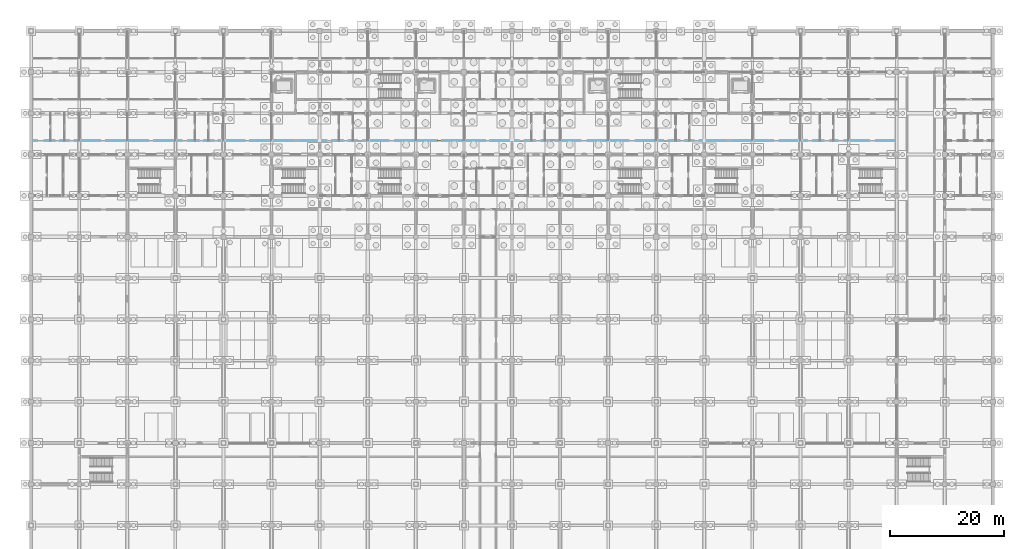
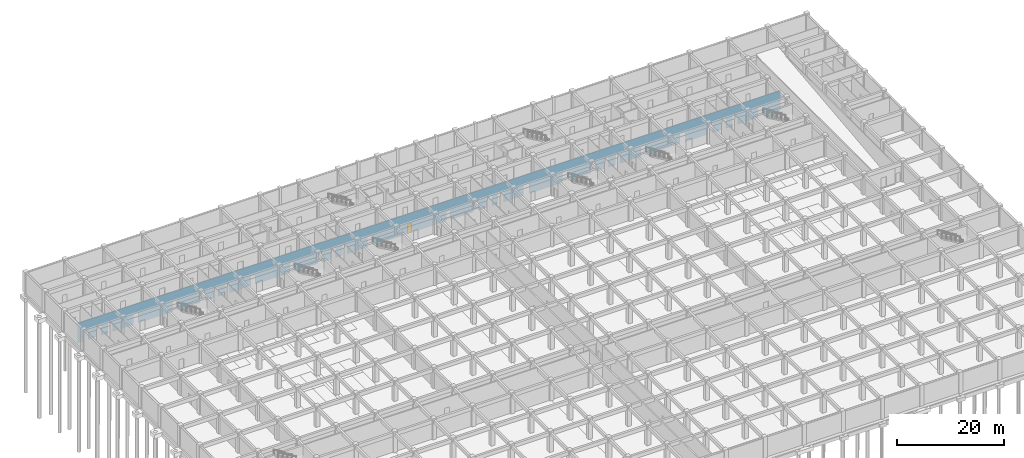
# One storey, part 55 of 85: 1 door, 30 openings, plus 1 element that does not belong to this part.
"""IFC4 building model written with IfcOpenShell, lengths in metres."""

from ifc_helpers import new_model, si_unit, direction, frame, frame_2d, origin, place, context, subcontext, project, spatial, rectangle, extrude, material, layer, layer_set, type_object, element, fill, save


model = new_model("IFC4")

# Units and contexts
model_context = context("Model", 3, precision=1e-05, world=origin(), true_north=direction((0.0, 1.0)))
body_context = subcontext(model_context, "Body", "Model", "MODEL_VIEW")
ifc_project = project(units=[si_unit("LENGTHUNIT", "METRE"), si_unit("AREAUNIT", "SQUARE_METRE"), si_unit("VOLUMEUNIT", "CUBIC_METRE"), si_unit("PLANEANGLEUNIT", "RADIAN"), si_unit("MASSUNIT", "GRAM", prefix="KILO")], contexts=[model_context])

# Site, building, storey
site_placement = place(None, origin())
site = spatial("IfcSite", under=ifc_project, at=site_placement, CompositionType="ELEMENT")
building_placement = place(site_placement, origin())
building = spatial("IfcBuilding", under=site, at=building_placement, Name="Chengyuan Square Courthouse", CompositionType="ELEMENT")
storey_placement = place(building_placement, frame((0.0, 0.0, -10.199951171875)))
storey = spatial("IfcBuildingStorey", under=building, at=storey_placement, Name="B02", CompositionType="ELEMENT", Elevation=-10.199951171875)

# Wall, openings, door
ifc_material_1 = material(Name="Gypsum Plasterboard Acoustic Stud Partition")
ifc_layer = layer(ifc_material_1, 0.10009765625)
ifc_layer_set = layer_set([ifc_layer], Name="Gypsum Plasterboard Acoustic Stud Partition")
wall_type = type_object("IfcWallType", Name="WL-PT6", PredefinedType="STANDARD", material=ifc_layer_set)
wall_placement = place(storey_placement, frame((0.0400390625, 96.0, 0.0), z_axis=(0.0, 0.0, 1.0), x_axis=(1.0, 0.0, 0.0)))
wall = element("IfcWall", 1, at=wall_placement, inside=storey, type_object=wall_type, Name="Interior Wall WL-B02-I062", PredefinedType="STANDARD", context=body_context, shape_type="SweptSolid", body=[
    extrude(rectangle(XDim=151.159912109375, YDim=0.10009765625, at=frame_2d((75.580078125, 0.0))), origin(), (0.0, 0.0, 1.0), 4.47998046875),
])
opening_1_placement = place(wall_placement, frame((1.0400390625, 0.0, 0.0)))
element("IfcOpeningElement", 2, at=opening_1_placement, cuts=wall, Name="Opening DR-148", PredefinedType="OPENING", context=body_context, shape_type="SweptSolid", body=[
    extrude(rectangle(XDim=1.280029296875, YDim=2.35009765625, at=frame_2d((0.64013671875, 1.175048828125))), frame((0.0, 0.06201171875, 0.0), z_axis=(0.0, -1.0, 0.0), x_axis=(1.0, 0.0, 0.0)), (0.0, 0.0, 1.0), 0.1240234375),
])
opening_2_placement = place(wall_placement, frame((4.090087890625, 0.0, 0.0)))
element("IfcOpeningElement", 3, at=opening_2_placement, cuts=wall, Name="Opening DR-149", PredefinedType="OPENING", context=body_context, shape_type="SweptSolid", body=[
    extrude(rectangle(XDim=0.93994140625, YDim=2.300048828125, at=frame_2d((0.469970703125, 1.14990234375))), frame((0.0, 0.06201171875, 0.0), z_axis=(0.0, -1.0, 0.0), x_axis=(1.0, 0.0, 0.0)), (0.0, 0.0, 1.0), 0.1240234375),
])
opening_3_placement = place(wall_placement, frame((6.570068359375, 0.0, 0.0)))
element("IfcOpeningElement", 4, at=opening_3_placement, cuts=wall, Name="Opening DR-150", PredefinedType="OPENING", context=body_context, shape_type="SweptSolid", body=[
    extrude(rectangle(XDim=0.97998046875, YDim=2.35009765625, at=frame_2d((0.489990234375, 1.175048828125))), frame((0.0, 0.06201171875, 0.0), z_axis=(0.0, -1.0, 0.0), x_axis=(1.0, 0.0, 0.0)), (0.0, 0.0, 1.0), 0.1240234375),
])
opening_4_placement = place(wall_placement, frame((12.050048828125, 0.0, 0.0)))
element("IfcOpeningElement", 5, at=opening_4_placement, cuts=wall, Name="Opening DR-151", PredefinedType="OPENING", context=body_context, shape_type="SweptSolid", body=[
    extrude(rectangle(XDim=1.02001953125, YDim=2.39990234375, at=frame_2d((0.510009765625, 1.199951171875))), frame((0.0, 0.06201171875, 0.0), z_axis=(0.0, -1.0, 0.0), x_axis=(1.0, 0.0, 0.0)), (0.0, 0.0, 1.0), 0.1240234375),
])
opening_5_placement = place(wall_placement, frame((20.429931640625, 0.0, 0.0)))
element("IfcOpeningElement", 6, at=opening_5_placement, cuts=wall, Name="Opening DR-152", PredefinedType="OPENING", context=body_context, shape_type="SweptSolid", body=[
    extrude(rectangle(XDim=1.06005859375, YDim=2.39990234375, at=frame_2d((0.530029296875, 1.199951171875))), frame((0.0, 0.06201171875, 0.0), z_axis=(0.0, -1.0, 0.0), x_axis=(1.0, 0.0, 0.0)), (0.0, 0.0, 1.0), 0.1240234375),
])
opening_6_placement = place(wall_placement, frame((26.2900390625, 0.0, 0.0)))
element("IfcOpeningElement", 7, at=opening_6_placement, cuts=wall, Name="Opening DR-153", PredefinedType="OPENING", context=body_context, shape_type="SweptSolid", body=[
    extrude(rectangle(XDim=1.139892578125, YDim=2.39990234375, at=frame_2d((0.56982421875, 1.199951171875))), frame((0.0, 0.06201171875, 0.0), z_axis=(0.0, -1.0, 0.0), x_axis=(1.0, 0.0, 0.0)), (0.0, 0.0, 1.0), 0.1240234375),
])
opening_7_placement = place(wall_placement, frame((29.31005859375, 0.0, 0.0)))
element("IfcOpeningElement", 8, at=opening_7_placement, cuts=wall, Name="Opening DR-154", PredefinedType="OPENING", context=body_context, shape_type="SweptSolid", body=[
    extrude(rectangle(XDim=0.89990234375, YDim=2.14990234375, at=frame_2d((0.449951171875, 1.074951171875))), frame((0.0, 0.06201171875, 0.0), z_axis=(0.0, -1.0, 0.0), x_axis=(1.0, 0.0, 0.0)), (0.0, 0.0, 1.0), 0.1240234375),
])
opening_8_placement = place(wall_placement, frame((31.830078125, 0.0, 0.0)))
element("IfcOpeningElement", 9, at=opening_8_placement, cuts=wall, Name="Opening DR-155", PredefinedType="OPENING", context=body_context, shape_type="SweptSolid", body=[
    extrude(rectangle(XDim=0.860107421875, YDim=2.10009765625, at=frame_2d((0.43017578125, 1.050048828125))), frame((0.0, 0.06201171875, 0.0), z_axis=(0.0, -1.0, 0.0), x_axis=(1.0, 0.0, 0.0)), (0.0, 0.0, 1.0), 0.1240234375),
])
opening_9_placement = place(wall_placement, frame((37.300048828125, 0.0, 0.0)))
element("IfcOpeningElement", 10, at=opening_9_placement, cuts=wall, Name="Opening DR-156", PredefinedType="OPENING", context=body_context, shape_type="SweptSolid", body=[
    extrude(rectangle(XDim=0.919921875, YDim=2.14990234375, at=frame_2d((0.4599609375, 1.074951171875))), frame((0.0, 0.06201171875, 0.0), z_axis=(0.0, -1.0, 0.0), x_axis=(1.0, 0.0, 0.0)), (0.0, 0.0, 1.0), 0.1240234375),
])
opening_10_placement = place(wall_placement, frame((45.679931640625, 0.0, 0.0)))
element("IfcOpeningElement", 11, at=opening_10_placement, cuts=wall, Name="Opening DR-157", PredefinedType="OPENING", context=body_context, shape_type="SweptSolid", body=[
    extrude(rectangle(XDim=0.9599609375, YDim=2.199951171875, at=frame_2d((0.47998046875, 1.10009765625))), frame((0.0, 0.06201171875, 0.0), z_axis=(0.0, -1.0, 0.0), x_axis=(1.0, 0.0, 0.0)), (0.0, 0.0, 1.0), 0.1240234375),
])
opening_11_placement = place(wall_placement, frame((51.570068359375, 0.0, 0.0)))
element("IfcOpeningElement", 12, at=opening_11_placement, cuts=wall, Name="Opening DR-167", PredefinedType="OPENING", context=body_context, shape_type="SweptSolid", body=[
    extrude(rectangle(XDim=0.97998046875, YDim=2.35009765625, at=frame_2d((0.489990234375, 1.175048828125))), frame((0.0, 0.06201171875, 0.0), z_axis=(0.0, -1.0, 0.0), x_axis=(1.0, 0.0, 0.0)), (0.0, 0.0, 1.0), 0.1240234375),
])
opening_12_placement = place(wall_placement, frame((54.449951171875, 0.0, 0.0)))
element("IfcOpeningElement", 13, at=opening_12_placement, cuts=wall, Name="Opening DR-168", PredefinedType="OPENING", context=body_context, shape_type="SweptSolid", body=[
    extrude(rectangle(XDim=1.02001953125, YDim=2.39990234375, at=frame_2d((0.510009765625, 1.199951171875))), frame((0.0, 0.06201171875, 0.0), z_axis=(0.0, -1.0, 0.0), x_axis=(1.0, 0.0, 0.0)), (0.0, 0.0, 1.0), 0.1240234375),
])
opening_13_placement = place(wall_placement, frame((56.929931640625, 0.0, 0.0)))
element("IfcOpeningElement", 14, at=opening_13_placement, cuts=wall, Name="Opening DR-169", PredefinedType="OPENING", context=body_context, shape_type="SweptSolid", body=[
    extrude(rectangle(XDim=1.06005859375, YDim=2.39990234375, at=frame_2d((0.530029296875, 1.199951171875))), frame((0.0, 0.06201171875, 0.0), z_axis=(0.0, -1.0, 0.0), x_axis=(1.0, 0.0, 0.0)), (0.0, 0.0, 1.0), 0.1240234375),
])
opening_14_placement = place(wall_placement, frame((62.389892578125, 0.0, 0.0)))
element("IfcOpeningElement", 15, at=opening_14_placement, cuts=wall, Name="Opening DR-170", PredefinedType="OPENING", context=body_context, shape_type="SweptSolid", body=[
    extrude(rectangle(XDim=1.139892578125, YDim=2.39990234375, at=frame_2d((0.56982421875, 1.199951171875))), frame((0.0, 0.06201171875, 0.0), z_axis=(0.0, -1.0, 0.0), x_axis=(1.0, 0.0, 0.0)), (0.0, 0.0, 1.0), 0.1240234375),
])
opening_15_placement = place(wall_placement, frame((70.909912109375, 0.0, 0.0)))
opening_15 = element("IfcOpeningElement", 16, at=opening_15_placement, cuts=wall, Name="Opening DR-171", PredefinedType="OPENING", context=body_context, shape_type="SweptSolid", body=[
    extrude(rectangle(XDim=0.89990234375, YDim=2.14990234375, at=frame_2d((0.449951171875, 1.074951171875))), frame((0.0, 0.06201171875, 0.0), z_axis=(0.0, -1.0, 0.0), x_axis=(1.0, 0.0, 0.0)), (0.0, 0.0, 1.0), 0.1240234375),
])
opening_16_placement = place(wall_placement, frame((79.330078125, 0.0, 0.0)))
element("IfcOpeningElement", 17, at=opening_16_placement, cuts=wall, Name="Opening DR-172", PredefinedType="OPENING", context=body_context, shape_type="SweptSolid", body=[
    extrude(rectangle(XDim=0.860107421875, YDim=2.10009765625, at=frame_2d((0.43017578125, 1.050048828125))), frame((0.0, 0.06201171875, 0.0), z_axis=(0.0, -1.0, 0.0), x_axis=(1.0, 0.0, 0.0)), (0.0, 0.0, 1.0), 0.1240234375),
])
opening_17_placement = place(wall_placement, frame((85.10009765625, 0.0, 0.0)))
element("IfcOpeningElement", 18, at=opening_17_placement, cuts=wall, Name="Opening DR-178", PredefinedType="OPENING", context=body_context, shape_type="SweptSolid", body=[
    extrude(rectangle(XDim=1.1201171875, YDim=2.25, at=frame_2d((0.56005859375, 1.125))), frame((0.0, 0.06201171875, 0.0), z_axis=(0.0, -1.0, 0.0), x_axis=(1.0, 0.0, 0.0)), (0.0, 0.0, 1.0), 0.1240234375),
])
opening_18_placement = place(wall_placement, frame((87.97998046875, 0.0, 0.0)))
element("IfcOpeningElement", 19, at=opening_18_placement, cuts=wall, Name="Opening DR-179", PredefinedType="OPENING", context=body_context, shape_type="SweptSolid", body=[
    extrude(rectangle(XDim=1.159912109375, YDim=2.300048828125, at=frame_2d((0.580078125, 1.14990234375))), frame((0.0, 0.06201171875, 0.0), z_axis=(0.0, -1.0, 0.0), x_axis=(1.0, 0.0, 0.0)), (0.0, 0.0, 1.0), 0.1240234375),
])
opening_19_placement = place(wall_placement, frame((90.4599609375, 0.0, 0.0)))
element("IfcOpeningElement", 20, at=opening_19_placement, cuts=wall, Name="Opening DR-180", PredefinedType="OPENING", context=body_context, shape_type="SweptSolid", body=[
    extrude(rectangle(XDim=1.199951171875, YDim=2.35009765625, at=frame_2d((0.60009765625, 1.175048828125))), frame((0.0, 0.06201171875, 0.0), z_axis=(0.0, -1.0, 0.0), x_axis=(1.0, 0.0, 0.0)), (0.0, 0.0, 1.0), 0.1240234375),
])
opening_20_placement = place(wall_placement, frame((95.93994140625, 0.0, 0.0)))
element("IfcOpeningElement", 21, at=opening_20_placement, cuts=wall, Name="Opening DR-181", PredefinedType="OPENING", context=body_context, shape_type="SweptSolid", body=[
    extrude(rectangle(XDim=1.239990234375, YDim=2.300048828125, at=frame_2d((0.6201171875, 1.14990234375))), frame((0.0, 0.06201171875, 0.0), z_axis=(0.0, -1.0, 0.0), x_axis=(1.0, 0.0, 0.0)), (0.0, 0.0, 1.0), 0.1240234375),
])
opening_21_placement = place(wall_placement, frame((104.320068359375, 0.0, 0.0)))
element("IfcOpeningElement", 22, at=opening_21_placement, cuts=wall, Name="Opening DR-182", PredefinedType="OPENING", context=body_context, shape_type="SweptSolid", body=[
    extrude(rectangle(XDim=1.280029296875, YDim=2.35009765625, at=frame_2d((0.64013671875, 1.175048828125))), frame((0.0, 0.06201171875, 0.0), z_axis=(0.0, -1.0, 0.0), x_axis=(1.0, 0.0, 0.0)), (0.0, 0.0, 1.0), 0.1240234375),
])
opening_22_placement = place(wall_placement, frame((110.389892578125, 0.0, 0.0)))
element("IfcOpeningElement", 23, at=opening_22_placement, cuts=wall, Name="Opening DR-183", PredefinedType="OPENING", context=body_context, shape_type="SweptSolid", body=[
    extrude(rectangle(XDim=0.93994140625, YDim=2.300048828125, at=frame_2d((0.469970703125, 1.14990234375))), frame((0.0, 0.06201171875, 0.0), z_axis=(0.0, -1.0, 0.0), x_axis=(1.0, 0.0, 0.0)), (0.0, 0.0, 1.0), 0.1240234375),
])
opening_23_placement = place(wall_placement, frame((113.27001953125, 0.0, 0.0)))
element("IfcOpeningElement", 24, at=opening_23_placement, cuts=wall, Name="Opening DR-184", PredefinedType="OPENING", context=body_context, shape_type="SweptSolid", body=[
    extrude(rectangle(XDim=0.97998046875, YDim=2.35009765625, at=frame_2d((0.489990234375, 1.175048828125))), frame((0.0, 0.06201171875, 0.0), z_axis=(0.0, -1.0, 0.0), x_axis=(1.0, 0.0, 0.0)), (0.0, 0.0, 1.0), 0.1240234375),
])
opening_24_placement = place(wall_placement, frame((115.75, 0.0, 0.0)))
element("IfcOpeningElement", 25, at=opening_24_placement, cuts=wall, Name="Opening DR-185", PredefinedType="OPENING", context=body_context, shape_type="SweptSolid", body=[
    extrude(rectangle(XDim=1.02001953125, YDim=2.39990234375, at=frame_2d((0.510009765625, 1.199951171875))), frame((0.0, 0.06201171875, 0.0), z_axis=(0.0, -1.0, 0.0), x_axis=(1.0, 0.0, 0.0)), (0.0, 0.0, 1.0), 0.1240234375),
])
opening_25_placement = place(wall_placement, frame((121.239990234375, 0.0, 0.0)))
element("IfcOpeningElement", 26, at=opening_25_placement, cuts=wall, Name="Opening DR-193", PredefinedType="OPENING", context=body_context, shape_type="SweptSolid", body=[
    extrude(rectangle(XDim=1.0400390625, YDim=2.199951171875, at=frame_2d((0.52001953125, 1.10009765625))), frame((0.0, 0.06201171875, 0.0), z_axis=(0.0, -1.0, 0.0), x_axis=(1.0, 0.0, 0.0)), (0.0, 0.0, 1.0), 0.1240234375),
])
opening_26_placement = place(wall_placement, frame((129.6201171875, 0.0, 0.0)))
element("IfcOpeningElement", 27, at=opening_26_placement, cuts=wall, Name="Opening DR-194", PredefinedType="OPENING", context=body_context, shape_type="SweptSolid", body=[
    extrude(rectangle(XDim=1.080078125, YDim=2.25, at=frame_2d((0.5400390625, 1.125))), frame((0.0, 0.06201171875, 0.0), z_axis=(0.0, -1.0, 0.0), x_axis=(1.0, 0.0, 0.0)), (0.0, 0.0, 1.0), 0.1240234375),
])
opening_27_placement = place(wall_placement, frame((135.5, 0.0, 0.0)))
element("IfcOpeningElement", 28, at=opening_27_placement, cuts=wall, Name="Opening DR-195", PredefinedType="OPENING", context=body_context, shape_type="SweptSolid", body=[
    extrude(rectangle(XDim=1.1201171875, YDim=2.25, at=frame_2d((0.56005859375, 1.125))), frame((0.0, 0.06201171875, 0.0), z_axis=(0.0, -1.0, 0.0), x_axis=(1.0, 0.0, 0.0)), (0.0, 0.0, 1.0), 0.1240234375),
])
opening_28_placement = place(wall_placement, frame((138.3798828125, 0.0, 0.0)))
element("IfcOpeningElement", 29, at=opening_28_placement, cuts=wall, Name="Opening DR-196", PredefinedType="OPENING", context=body_context, shape_type="SweptSolid", body=[
    extrude(rectangle(XDim=1.159912109375, YDim=2.300048828125, at=frame_2d((0.580078125, 1.14990234375))), frame((0.0, 0.06201171875, 0.0), z_axis=(0.0, -1.0, 0.0), x_axis=(1.0, 0.0, 0.0)), (0.0, 0.0, 1.0), 0.1240234375),
])
opening_29_placement = place(wall_placement, frame((140.860107421875, 0.0, 0.0)))
element("IfcOpeningElement", 30, at=opening_29_placement, cuts=wall, Name="Opening DR-197", PredefinedType="OPENING", context=body_context, shape_type="SweptSolid", body=[
    extrude(rectangle(XDim=1.199951171875, YDim=2.35009765625, at=frame_2d((0.60009765625, 1.175048828125))), frame((0.0, 0.06201171875, 0.0), z_axis=(0.0, -1.0, 0.0), x_axis=(1.0, 0.0, 0.0)), (0.0, 0.0, 1.0), 0.1240234375),
])
opening_30_placement = place(wall_placement, frame((146.340087890625, 0.0, 0.0)))
element("IfcOpeningElement", 31, at=opening_30_placement, cuts=wall, Name="Opening DR-198", PredefinedType="OPENING", context=body_context, shape_type="SweptSolid", body=[
    extrude(rectangle(XDim=1.239990234375, YDim=2.300048828125, at=frame_2d((0.6201171875, 1.14990234375))), frame((0.0, 0.06201171875, 0.0), z_axis=(0.0, -1.0, 0.0), x_axis=(1.0, 0.0, 0.0)), (0.0, 0.0, 1.0), 0.1240234375),
])
ifc_material_2 = material(Name="Acoustic Solid-Core Timber Door", Category="wood")
door_type = type_object("IfcDoorType", Name="DT-27", OperationType="NOTDEFINED", PredefinedType="DOOR", material=ifc_material_2)
door_placement = place(opening_15_placement, origin())
door = element("IfcDoor", 32, at=door_placement, inside=storey, type_object=door_type, Name="Interior Door DR-171", OperationType="SINGLE_SWING_RIGHT", OverallHeight=2.14990234375, OverallWidth=0.89990234375, PredefinedType="DOOR", context=body_context, shape_type="SweptSolid", body=[
    extrude(rectangle(XDim=0.89990234375, YDim=2.14990234375, at=frame_2d((0.449951171875, 1.074951171875))), frame((0.0, 0.02490234375, 0.0), z_axis=(0.0, -1.0, 0.0), x_axis=(1.0, 0.0, 0.0)), (0.0, 0.0, 1.0), 0.050048828125),
])
fill(opening_15, door)

save(model, "model.ifc")
